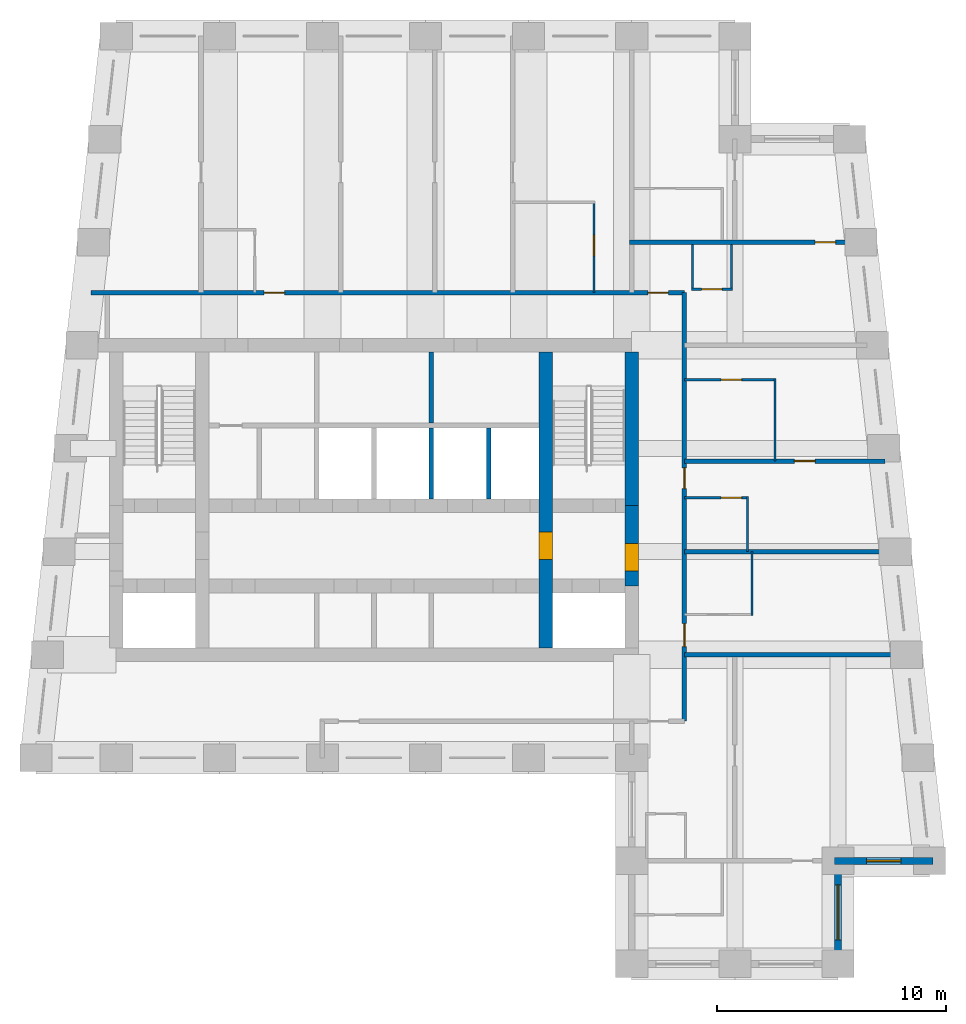
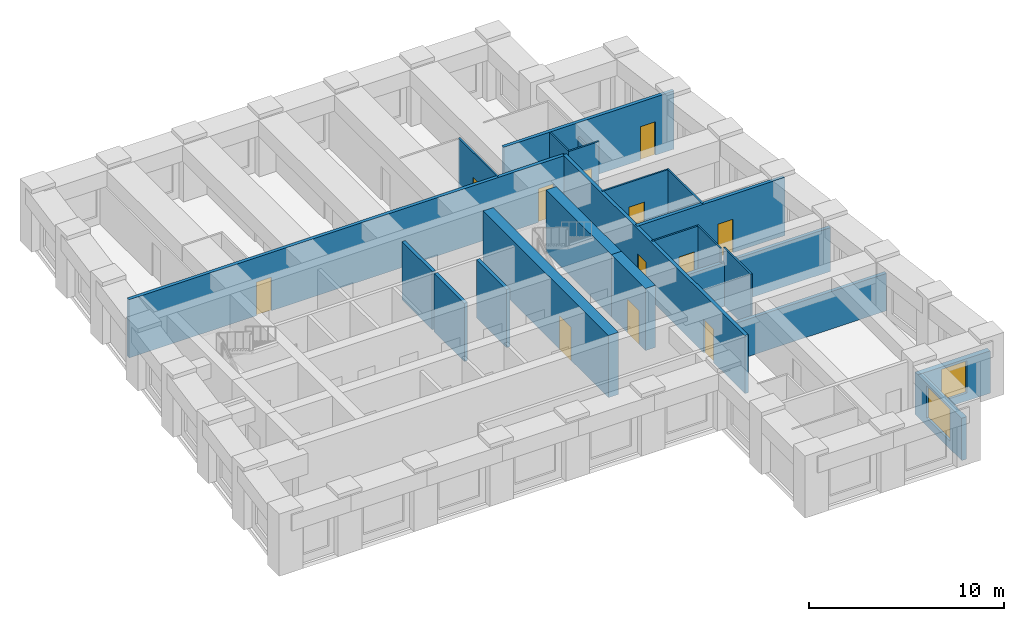
# One storey, part 4 of 7: 23 walls, 12 doors, 2 windows, 14 openings.
"""IFC4 building model written with IfcOpenShell, lengths in metres."""

from ifc_helpers import new_model, si_unit, direction, frame, frame_2d, origin, place, context, subcontext, project, spatial, rectangle, extrude, material, layer, layer_set, type_object, element, fill, save


model = new_model("IFC4")

# Units and contexts
model_context = context("Model", 3, precision=1e-05, world=origin(), true_north=direction((0.0, 1.0)))
body_context = subcontext(model_context, "Body", "Model", "MODEL_VIEW")
ifc_project = project(units=[si_unit("LENGTHUNIT", "METRE"), si_unit("AREAUNIT", "SQUARE_METRE"), si_unit("VOLUMEUNIT", "CUBIC_METRE"), si_unit("PLANEANGLEUNIT", "RADIAN"), si_unit("MASSUNIT", "GRAM", prefix="KILO")], contexts=[model_context])

# Site, building, storey
site_placement = place(None, origin())
site = spatial("IfcSite", under=ifc_project, at=site_placement, CompositionType="ELEMENT")
building_placement = place(site_placement, origin())
building = spatial("IfcBuilding", under=site, at=building_placement, Name="Kilele Tower Hotel", CompositionType="ELEMENT")
storey_placement = place(building_placement, frame((0.0, 0.0, 274.10009765625)))
storey = spatial("IfcBuildingStorey", under=building, at=storey_placement, Name="L70", CompositionType="ELEMENT", Elevation=274.10009765625)

# Walls
ifc_material_1 = material(Name="Moisture-resistant board")
ifc_layer_1 = layer(ifc_material_1, 0.10009765625)
ifc_layer_set_1 = layer_set([ifc_layer_1], Name="Moisture-resistant board")
wall_type_1 = type_object("IfcWallType", Name="Bathroom partition 100", PredefinedType="PLUMBINGWALL", material=ifc_layer_set_1)
wall_1_placement = place(storey_placement, frame((41.25, 15.199951171875, 0.0), z_axis=(0.0, 0.0, 1.0), x_axis=(0.0, 1.0, 0.0)))
element("IfcWall", 1, at=wall_1_placement, inside=storey, type_object=wall_type_1, Name="Bathroom partition 100 L70", PredefinedType="PLUMBINGWALL", context=body_context, shape_type="SweptSolid", body=[
    extrude(rectangle(XDim=2.800048828125, YDim=0.10009765625, at=frame_2d((1.39990234375, 0.0))), origin(), (0.0, 0.0, 1.0), 3.64990234375),
])
wall_2_placement = place(storey_placement, frame((41.050048828125, 18.0, 0.0), z_axis=(0.0, 0.0, 1.0), x_axis=(0.0, 1.0, 0.0)))
element("IfcWall", 2, at=wall_2_placement, inside=storey, type_object=wall_type_1, Name="Bathroom partition 100 L70", PredefinedType="PLUMBINGWALL", context=body_context, shape_type="SweptSolid", body=[
    extrude(rectangle(XDim=2.39990234375, YDim=0.10009765625, at=frame_2d((1.199951171875, 0.0))), origin(), (0.0, 0.0, 1.0), 3.64990234375),
])

# Wall, opening, door
wall_3_placement = place(storey_placement, frame((38.300048828125, 20.35009765625, 0.0), z_axis=(0.0, 0.0, 1.0), x_axis=(1.0, 0.0, 0.0)))
wall_3 = element("IfcWall", 3, at=wall_3_placement, inside=storey, type_object=wall_type_1, Name="Bathroom partition 100 L70", PredefinedType="PLUMBINGWALL", context=body_context, shape_type="SweptSolid", body=[
    extrude(rectangle(XDim=2.800048828125, YDim=0.10009765625, at=frame_2d((1.39990234375, 0.0))), origin(), (0.0, 0.0, 1.0), 3.64990234375),
])
opening_1_placement = place(wall_3_placement, frame((1.60009765625, 0.0, 0.0)))
opening_1 = element("IfcOpeningElement", 4, at=opening_1_placement, cuts=wall_3, Name="Opening D2A", PredefinedType="OPENING", context=body_context, shape_type="SweptSolid", body=[
    extrude(rectangle(XDim=0.89990234375, YDim=2.10009765625, at=frame_2d((0.449951171875, 1.050048828125))), frame((0.0, 0.06005859375, 0.0), z_axis=(0.0, -1.0, 0.0), x_axis=(1.0, 0.0, 0.0)), (0.0, 0.0, 1.0), 0.1201171875),
])
ifc_material_2 = material(Name="Timber door leaf in hardwood frame", Category="wood")
door_type_1 = type_object("IfcDoorType", Name="Bathroom door 900", OperationType="SINGLE_SWING_LEFT", PredefinedType="DOOR", material=ifc_material_2)
door_1_placement = place(opening_1_placement, origin())
door_1 = element("IfcDoor", 5, at=door_1_placement, inside=storey, type_object=door_type_1, Name="Bathroom door 7004B", OperationType="SINGLE_SWING_LEFT", OverallHeight=2.10009765625, OverallWidth=0.89990234375, PredefinedType="DOOR", context=body_context, shape_type="SweptSolid", body=[
    extrude(rectangle(XDim=0.89990234375, YDim=2.10009765625, at=frame_2d((0.449951171875, 1.050048828125))), frame((0.0, 0.02490234375, 0.0), z_axis=(0.0, -1.0, 0.0), x_axis=(1.0, 0.0, 0.0)), (0.0, 0.0, 1.0), 0.050048828125),
])
fill(opening_1, door_1)

# Wall
wall_4_placement = place(storey_placement, frame((42.25, 21.949951171875, 0.0), z_axis=(0.0, 0.0, 1.0), x_axis=(0.0, 1.0, 0.0)))
element("IfcWall", 6, at=wall_4_placement, inside=storey, type_object=wall_type_1, Name="Bathroom partition 100 L70", PredefinedType="PLUMBINGWALL", context=body_context, shape_type="SweptSolid", body=[
    extrude(rectangle(XDim=3.60009765625, YDim=0.10009765625, at=frame_2d((1.800048828125, 0.0))), origin(), (0.0, 0.0, 1.0), 3.64990234375),
])

# Wall, opening, door
wall_5_placement = place(storey_placement, frame((38.300048828125, 25.5, 0.0), z_axis=(0.0, 0.0, 1.0), x_axis=(1.0, 0.0, 0.0)))
wall_5 = element("IfcWall", 7, at=wall_5_placement, inside=storey, type_object=wall_type_1, Name="Bathroom partition 100 L70", PredefinedType="PLUMBINGWALL", context=body_context, shape_type="SweptSolid", body=[
    extrude(rectangle(XDim=4.0, YDim=0.10009765625, at=frame_2d((2.0, 0.0))), origin(), (0.0, 0.0, 1.0), 3.64990234375),
])
opening_2_placement = place(wall_5_placement, frame((1.60009765625, 0.0, 0.0)))
opening_2 = element("IfcOpeningElement", 8, at=opening_2_placement, cuts=wall_5, Name="Opening D2A", PredefinedType="OPENING", context=body_context, shape_type="SweptSolid", body=[
    extrude(rectangle(XDim=0.89990234375, YDim=2.10009765625, at=frame_2d((0.449951171875, 1.050048828125))), frame((0.0, 0.06005859375, 0.0), z_axis=(0.0, -1.0, 0.0), x_axis=(1.0, 0.0, 0.0)), (0.0, 0.0, 1.0), 0.1201171875),
])
door_2_placement = place(opening_2_placement, origin())
door_2 = element("IfcDoor", 9, at=door_2_placement, inside=storey, type_object=door_type_1, Name="Bathroom door 7005B", OperationType="SINGLE_SWING_LEFT", OverallHeight=2.10009765625, OverallWidth=0.89990234375, PredefinedType="DOOR", context=body_context, shape_type="SweptSolid", body=[
    extrude(rectangle(XDim=0.89990234375, YDim=2.10009765625, at=frame_2d((0.449951171875, 1.050048828125))), frame((0.0, 0.02490234375, 0.0), z_axis=(0.0, -1.0, 0.0), x_axis=(1.0, 0.0, 0.0)), (0.0, 0.0, 1.0), 0.050048828125),
])
fill(opening_2, door_2)

wall_6_placement = place(storey_placement, frame((34.35009765625, 29.300048828125, 0.0), z_axis=(0.0, 0.0, 1.0), x_axis=(0.0, 1.0, 0.0)))
wall_6 = element("IfcWall", 10, at=wall_6_placement, inside=storey, type_object=wall_type_1, Name="Bathroom partition 100 L70", PredefinedType="PLUMBINGWALL", context=body_context, shape_type="SweptSolid", body=[
    extrude(rectangle(XDim=4.0, YDim=0.10009765625, at=frame_2d((2.0, 0.0))), origin(), (0.0, 0.0, 1.0), 3.64990234375),
])
opening_3_placement = place(wall_6_placement, frame((2.5, 0.0, 0.0), z_axis=(0.0, 0.0, 1.0), x_axis=(-1.0, 0.0, 0.0)))
opening_3 = element("IfcOpeningElement", 11, at=opening_3_placement, cuts=wall_6, Name="Opening D2A", PredefinedType="OPENING", context=body_context, shape_type="SweptSolid", body=[
    extrude(rectangle(XDim=0.89990234375, YDim=2.10009765625, at=frame_2d((0.449951171875, 1.050048828125))), frame((0.0, 0.06005859375, 0.0), z_axis=(0.0, -1.0, 0.0), x_axis=(1.0, 0.0, 0.0)), (0.0, 0.0, 1.0), 0.1201171875),
])
door_3_placement = place(opening_3_placement, origin())
door_3 = element("IfcDoor", 12, at=door_3_placement, inside=storey, type_object=door_type_1, Name="Bathroom door 7010B", OperationType="SINGLE_SWING_RIGHT", OverallHeight=2.10009765625, OverallWidth=0.89990234375, PredefinedType="DOOR", context=body_context, shape_type="SweptSolid", body=[
    extrude(rectangle(XDim=0.89990234375, YDim=2.10009765625, at=frame_2d((0.449951171875, 1.050048828125))), frame((0.0, 0.02490234375, 0.0), z_axis=(0.0, -1.0, 0.0), x_axis=(1.0, 0.0, 0.0)), (0.0, 0.0, 1.0), 0.050048828125),
])
fill(opening_3, door_3)

# Walls
wall_7_placement = place(storey_placement, frame((40.35009765625, 31.39990234375, 0.0), z_axis=(0.0, 0.0, 1.0), x_axis=(0.0, -1.0, 0.0)))
element("IfcWall", 13, at=wall_7_placement, inside=storey, type_object=wall_type_1, Name="Bathroom partition 100 L70", PredefinedType="PLUMBINGWALL", context=body_context, shape_type="SweptSolid", body=[
    extrude(rectangle(XDim=2.0, YDim=0.10009765625, at=frame_2d((1.0, 0.0))), origin(), (0.0, 0.0, 1.0), 2.75),
])
wall_8_placement = place(storey_placement, frame((38.64990234375, 31.39990234375, 0.0), z_axis=(0.0, 0.0, 1.0), x_axis=(0.0, -1.0, 0.0)))
element("IfcWall", 14, at=wall_8_placement, inside=storey, type_object=wall_type_1, Name="Bathroom partition 100 L70", PredefinedType="PLUMBINGWALL", context=body_context, shape_type="SweptSolid", body=[
    extrude(rectangle(XDim=2.0, YDim=0.10009765625, at=frame_2d((1.0, 0.0))), origin(), (0.0, 0.0, 1.0), 3.64990234375),
])

# Wall, opening, door
wall_9_placement = place(storey_placement, frame((38.60009765625, 29.449951171875, 0.0), z_axis=(0.0, 0.0, 1.0), x_axis=(1.0, 0.0, 0.0)))
wall_9 = element("IfcWall", 15, at=wall_9_placement, inside=storey, type_object=wall_type_1, Name="Bathroom partition 100 L70", PredefinedType="PLUMBINGWALL", context=body_context, shape_type="SweptSolid", body=[
    extrude(rectangle(XDim=1.7998046875, YDim=0.10009765625, at=frame_2d((0.89990234375, 0.0))), origin(), (0.0, 0.0, 1.0), 3.64990234375),
])
opening_4_placement = place(wall_9_placement, frame((1.349853515625, 0.0, 0.0), z_axis=(0.0, 0.0, 1.0), x_axis=(-1.0, 0.0, 0.0)))
opening_4 = element("IfcOpeningElement", 16, at=opening_4_placement, cuts=wall_9, Name="Opening D2A", PredefinedType="OPENING", context=body_context, shape_type="SweptSolid", body=[
    extrude(rectangle(XDim=0.89990234375, YDim=2.10009765625, at=frame_2d((0.449951171875, 1.050048828125))), frame((0.0, 0.06005859375, 0.0), z_axis=(0.0, -1.0, 0.0), x_axis=(1.0, 0.0, 0.0)), (0.0, 0.0, 1.0), 0.1201171875),
])
door_4_placement = place(opening_4_placement, origin())
door_4 = element("IfcDoor", 17, at=door_4_placement, inside=storey, type_object=door_type_1, Name="Bathroom door 7014P", OperationType="SINGLE_SWING_RIGHT", OverallHeight=2.10009765625, OverallWidth=0.89990234375, PredefinedType="DOOR", context=body_context, shape_type="SweptSolid", body=[
    extrude(rectangle(XDim=0.89990234375, YDim=2.10009765625, at=frame_2d((0.449951171875, 1.050048828125))), frame((0.0, 0.02490234375, 0.0), z_axis=(0.0, -1.0, 0.0), x_axis=(1.0, 0.0, 0.0)), (0.0, 0.0, 1.0), 0.050048828125),
])
fill(opening_4, door_4)

ifc_material_3 = material(Name="Concrete C60/75", Category="concrete")
ifc_layer_2 = layer(ifc_material_3, 0.60009765625)
ifc_layer_set_2 = layer_set([ifc_layer_2], Name="Concrete C60/75")
wall_type_2 = type_object("IfcWallType", Name="Core wall 600 C60/75", PredefinedType="SHEAR", material=ifc_layer_set_2)
wall_10_placement = place(storey_placement, frame((32.25, 13.800048828125, 0.0), z_axis=(0.0, 0.0, 1.0), x_axis=(0.0, 1.0, 0.0)))
wall_10 = element("IfcWall", 18, at=wall_10_placement, inside=storey, type_object=wall_type_2, Name="Core wall IE L70", PredefinedType="SHEAR", context=body_context, shape_type="SweptSolid", body=[
    extrude(rectangle(XDim=12.89990234375, YDim=0.60009765625, at=frame_2d((6.449951171875, 0.0))), origin(), (0.0, 0.0, 1.0), 3.89990234375),
])
opening_5_placement = place(wall_10_placement, frame((5.050048828125, 0.0, 0.0), z_axis=(0.0, 0.0, 1.0), x_axis=(-1.0, 0.0, 0.0)))
opening_5 = element("IfcOpeningElement", 19, at=opening_5_placement, cuts=wall_10, Name="Opening D4", PredefinedType="OPENING", context=body_context, shape_type="SweptSolid", body=[
    extrude(rectangle(XDim=1.199951171875, YDim=2.10009765625, at=frame_2d((0.60009765625, 1.050048828125))), frame((0.0, 0.31005859375, 0.0), z_axis=(0.0, -1.0, 0.0), x_axis=(1.0, 0.0, 0.0)), (0.0, 0.0, 1.0), 0.6201171875),
])
ifc_material_4 = material(Name="Timber door leaf in hardwood frame", Category="wood")
door_type_2 = type_object("IfcDoorType", Name="Firefighting lobby door 1200", OperationType="SINGLE_SWING_LEFT", PredefinedType="DOOR", material=ifc_material_4)
door_5_placement = place(opening_5_placement, origin())
door_5 = element("IfcDoor", 20, at=door_5_placement, inside=storey, type_object=door_type_2, Name="Lobby door L70", OperationType="SINGLE_SWING_RIGHT", OverallHeight=2.10009765625, OverallWidth=1.199951171875, PredefinedType="DOOR", context=body_context, shape_type="SweptSolid", body=[
    extrude(rectangle(XDim=1.199951171875, YDim=2.10009765625, at=frame_2d((0.60009765625, 1.050048828125))), frame((0.0, 0.2998046875, 0.0), z_axis=(0.0, -1.0, 0.0), x_axis=(1.0, 0.0, 0.0)), (0.0, 0.0, 1.0), 0.599609375),
])
fill(opening_5, door_5)

wall_11_placement = place(storey_placement, frame((36.0, 16.5, 0.0), z_axis=(0.0, 0.0, 1.0), x_axis=(0.0, 1.0, 0.0)))
wall_11 = element("IfcWall", 21, at=wall_11_placement, inside=storey, type_object=wall_type_2, Name="Core wall E2 L70", PredefinedType="SHEAR", context=body_context, shape_type="SweptSolid", body=[
    extrude(rectangle(XDim=3.5, YDim=0.60009765625, at=frame_2d((1.75, 0.0))), origin(), (0.0, 0.0, 1.0), 3.89990234375),
])
opening_6_placement = place(wall_11_placement, frame((0.64990234375, 0.0, 0.0)))
opening_6 = element("IfcOpeningElement", 22, at=opening_6_placement, cuts=wall_11, Name="Opening D4", PredefinedType="OPENING", context=body_context, shape_type="SweptSolid", body=[
    extrude(rectangle(XDim=1.199951171875, YDim=2.10009765625, at=frame_2d((0.60009765625, 1.050048828125))), frame((0.0, 0.31005859375, 0.0), z_axis=(0.0, -1.0, 0.0), x_axis=(1.0, 0.0, 0.0)), (0.0, 0.0, 1.0), 0.6201171875),
])
door_6_placement = place(opening_6_placement, origin())
door_6 = element("IfcDoor", 23, at=door_6_placement, inside=storey, type_object=door_type_2, Name="Lobby door L70", OperationType="SINGLE_SWING_LEFT", OverallHeight=2.10009765625, OverallWidth=1.199951171875, PredefinedType="DOOR", context=body_context, shape_type="SweptSolid", body=[
    extrude(rectangle(XDim=1.199951171875, YDim=2.10009765625, at=frame_2d((0.60009765625, 1.050048828125))), frame((0.0, 0.2998046875, 0.0), z_axis=(0.0, -1.0, 0.0), x_axis=(1.0, 0.0, 0.0)), (0.0, 0.0, 1.0), 0.599609375),
])
fill(opening_6, door_6)

# Wall
wall_12_placement = place(storey_placement, frame((36.0, 20.0, 0.0), z_axis=(0.0, 0.0, 1.0), x_axis=(0.0, 1.0, 0.0)))
element("IfcWall", 24, at=wall_12_placement, inside=storey, type_object=wall_type_2, Name="Core wall E3 L70", PredefinedType="SHEAR", context=body_context, shape_type="SweptSolid", body=[
    extrude(rectangle(XDim=6.699951171875, YDim=0.60009765625, at=frame_2d((3.35009765625, 0.0))), origin(), (0.0, 0.0, 1.0), 3.89990234375),
])

# Wall, openings, doors
ifc_material_5 = material(Name="Blockwork, plastered both sides", Category="masonry")
ifc_layer_3 = layer(ifc_material_5, 0.199951171875)
ifc_layer_set_3 = layer_set([ifc_layer_3], Name="Blockwork, plastered both sides")
wall_type_3 = type_object("IfcWallType", Name="Corridor wall 200", PredefinedType="PARTITIONING", material=ifc_layer_set_3)
wall_13_placement = place(storey_placement, frame((12.406494140625, 29.300048828125, 0.0), z_axis=(0.0, 0.0, 1.0), x_axis=(1.0, 0.0, 0.0)))
wall_13 = element("IfcWall", 25, at=wall_13_placement, inside=storey, type_object=wall_type_3, Name="Corridor wall 200 L70", PredefinedType="PARTITIONING", context=body_context, shape_type="SweptSolid", body=[
    extrude(rectangle(XDim=25.8935546875, YDim=0.199951171875, at=frame_2d((12.94677734375, 0.0))), origin(), (0.0, 0.0, 1.0), 3.64990234375),
])
opening_7_placement = place(wall_13_placement, frame((7.54345703125, 0.0, 0.0)))
opening_7 = element("IfcOpeningElement", 26, at=opening_7_placement, cuts=wall_13, Name="Opening D1", PredefinedType="OPENING", context=body_context, shape_type="SweptSolid", body=[
    extrude(rectangle(XDim=0.89990234375, YDim=2.10009765625, at=frame_2d((0.449951171875, 1.050048828125))), frame((0.0, 0.10986328125, 0.0), z_axis=(0.0, -1.0, 0.0), x_axis=(1.0, 0.0, 0.0)), (0.0, 0.0, 1.0), 0.219970703125),
])
opening_8_placement = place(wall_13_placement, frame((24.29345703125, 0.0, 0.0)))
opening_8 = element("IfcOpeningElement", 27, at=opening_8_placement, cuts=wall_13, Name="Opening D1", PredefinedType="OPENING", context=body_context, shape_type="SweptSolid", body=[
    extrude(rectangle(XDim=0.89990234375, YDim=2.10009765625, at=frame_2d((0.449951171875, 1.050048828125))), frame((0.0, 0.10986328125, 0.0), z_axis=(0.0, -1.0, 0.0), x_axis=(1.0, 0.0, 0.0)), (0.0, 0.0, 1.0), 0.219970703125),
])
ifc_material_6 = material(Name="Timber door leaf in hardwood frame", Category="wood")
door_type_3 = type_object("IfcDoorType", Name="Guest room entrance door 900", OperationType="SINGLE_SWING_LEFT", PredefinedType="DOOR", material=ifc_material_6)
door_7_placement = place(opening_7_placement, origin())
door_7 = element("IfcDoor", 28, at=door_7_placement, inside=storey, type_object=door_type_3, Name="Room entrance 7007", OperationType="SINGLE_SWING_LEFT", OverallHeight=2.10009765625, OverallWidth=0.89990234375, PredefinedType="DOOR", context=body_context, shape_type="SweptSolid", body=[
    extrude(rectangle(XDim=0.89990234375, YDim=2.10009765625, at=frame_2d((0.449951171875, 1.050048828125))), frame((0.0, 0.02490234375, 0.0), z_axis=(0.0, -1.0, 0.0), x_axis=(1.0, 0.0, 0.0)), (0.0, 0.0, 1.0), 0.050048828125),
])
fill(opening_7, door_7)
door_8_placement = place(opening_8_placement, origin())
door_8 = element("IfcDoor", 29, at=door_8_placement, inside=storey, type_object=door_type_3, Name="Room entrance 7014", OperationType="SINGLE_SWING_LEFT", OverallHeight=2.10009765625, OverallWidth=0.89990234375, PredefinedType="DOOR", context=body_context, shape_type="SweptSolid", body=[
    extrude(rectangle(XDim=0.89990234375, YDim=2.10009765625, at=frame_2d((0.449951171875, 1.050048828125))), frame((0.0, 0.02490234375, 0.0), z_axis=(0.0, -1.0, 0.0), x_axis=(1.0, 0.0, 0.0)), (0.0, 0.0, 1.0), 0.050048828125),
])
fill(opening_8, door_8)

wall_14_placement = place(storey_placement, frame((38.300048828125, 10.60009765625, 0.0), z_axis=(0.0, 0.0, 1.0), x_axis=(0.0, 1.0, 0.0)))
wall_14 = element("IfcWall", 30, at=wall_14_placement, inside=storey, type_object=wall_type_3, Name="Corridor wall 200 L70", PredefinedType="PARTITIONING", context=body_context, shape_type="SweptSolid", body=[
    extrude(rectangle(XDim=18.699951171875, YDim=0.199951171875, at=frame_2d((9.35009765625, 0.0))), origin(), (0.0, 0.0, 1.0), 3.64990234375),
])
opening_9_placement = place(wall_14_placement, frame((4.25, 0.0, 0.0), z_axis=(0.0, 0.0, 1.0), x_axis=(-1.0, 0.0, 0.0)))
opening_9 = element("IfcOpeningElement", 31, at=opening_9_placement, cuts=wall_14, Name="Opening D1A", PredefinedType="OPENING", context=body_context, shape_type="SweptSolid", body=[
    extrude(rectangle(XDim=1.0, YDim=2.10009765625, at=frame_2d((0.5, 1.050048828125))), frame((0.0, 0.10986328125, 0.0), z_axis=(0.0, -1.0, 0.0), x_axis=(1.0, 0.0, 0.0)), (0.0, 0.0, 1.0), 0.219970703125),
])
opening_10_placement = place(wall_14_placement, frame((11.0498046875, 0.0, 0.0), z_axis=(0.0, 0.0, 1.0), x_axis=(-1.0, 0.0, 0.0)))
opening_10 = element("IfcOpeningElement", 32, at=opening_10_placement, cuts=wall_14, Name="Opening D1", PredefinedType="OPENING", context=body_context, shape_type="SweptSolid", body=[
    extrude(rectangle(XDim=0.89990234375, YDim=2.10009765625, at=frame_2d((0.449951171875, 1.050048828125))), frame((0.0, 0.10986328125, 0.0), z_axis=(0.0, -1.0, 0.0), x_axis=(1.0, 0.0, 0.0)), (0.0, 0.0, 1.0), 0.219970703125),
])
ifc_material_7 = material(Name="Timber door leaf in hardwood frame", Category="wood")
door_type_4 = type_object("IfcDoorType", Name="Guest room entrance door 1000", OperationType="SINGLE_SWING_LEFT", PredefinedType="DOOR", material=ifc_material_7)
door_9_placement = place(opening_9_placement, origin())
door_9 = element("IfcDoor", 33, at=door_9_placement, inside=storey, type_object=door_type_4, Name="Room entrance 7003", OperationType="SINGLE_SWING_RIGHT", OverallHeight=2.10009765625, OverallWidth=1.0, PredefinedType="DOOR", context=body_context, shape_type="SweptSolid", body=[
    extrude(rectangle(XDim=1.0, YDim=2.10009765625, at=frame_2d((0.5, 1.050048828125))), frame((0.0, 0.02490234375, 0.0), z_axis=(0.0, -1.0, 0.0), x_axis=(1.0, 0.0, 0.0)), (0.0, 0.0, 1.0), 0.050048828125),
])
fill(opening_9, door_9)
door_10_placement = place(opening_10_placement, origin())
door_10 = element("IfcDoor", 34, at=door_10_placement, inside=storey, type_object=door_type_3, Name="Room entrance 7004", OperationType="SINGLE_SWING_LEFT", OverallHeight=2.10009765625, OverallWidth=0.89990234375, PredefinedType="DOOR", context=body_context, shape_type="SweptSolid", body=[
    extrude(rectangle(XDim=0.89990234375, YDim=2.10009765625, at=frame_2d((0.449951171875, 1.050048828125))), frame((0.0, 0.02490234375, 0.0), z_axis=(0.0, -1.0, 0.0), x_axis=(1.0, 0.0, 0.0)), (0.0, 0.0, 1.0), 0.050048828125),
])
fill(opening_10, door_10)

# Wall
ifc_material_8 = material(Name="Blockwork, plastered both sides", Category="masonry")
ifc_layer_4 = layer(ifc_material_8, 0.199951171875)
ifc_layer_set_4 = layer_set([ifc_layer_4], Name="Blockwork, plastered both sides")
wall_type_4 = type_object("IfcWallType", Name="Party wall 200", PredefinedType="PARTITIONING", material=ifc_layer_set_4)
wall_15_placement = place(storey_placement, frame((38.300048828125, 18.0, 0.0), z_axis=(0.0, 0.0, 1.0), x_axis=(1.0, 0.0, 0.0)))
element("IfcWall", 35, at=wall_15_placement, inside=storey, type_object=wall_type_4, Name="Party wall 200 L70", PredefinedType="PARTITIONING", context=body_context, shape_type="SweptSolid", body=[
    extrude(rectangle(XDim=9.198974609375, YDim=0.199951171875, at=frame_2d((4.599609375, 0.0))), origin(), (0.0, 0.0, 1.0), 2.75),
])

# Wall, opening, door
wall_16_placement = place(storey_placement, frame((38.300048828125, 21.949951171875, 0.0), z_axis=(0.0, 0.0, 1.0), x_axis=(1.0, 0.0, 0.0)))
wall_16 = element("IfcWall", 36, at=wall_16_placement, inside=storey, type_object=wall_type_4, Name="Party wall 200 L70", PredefinedType="PARTITIONING", context=body_context, shape_type="SweptSolid", body=[
    extrude(rectangle(XDim=8.76025390625, YDim=0.199951171875, at=frame_2d((4.380126953125, 0.0))), origin(), (0.0, 0.0, 1.0), 3.64990234375),
])
opening_11_placement = place(wall_16_placement, frame((4.800048828125, 0.0, 0.0)))
opening_11 = element("IfcOpeningElement", 37, at=opening_11_placement, cuts=wall_16, Name="Opening D3", PredefinedType="OPENING", context=body_context, shape_type="SweptSolid", body=[
    extrude(rectangle(XDim=0.89990234375, YDim=2.10009765625, at=frame_2d((0.449951171875, 1.050048828125))), frame((0.0, 0.10986328125, 0.0), z_axis=(0.0, -1.0, 0.0), x_axis=(1.0, 0.0, 0.0)), (0.0, 0.0, 1.0), 0.219970703125),
])
ifc_material_9 = material(Name="Timber door leaf in hardwood frame", Category="wood")
door_type_5 = type_object("IfcDoorType", Name="Suite internal door 900", OperationType="SINGLE_SWING_LEFT", PredefinedType="DOOR", material=ifc_material_9)
door_11_placement = place(opening_11_placement, origin())
door_11 = element("IfcDoor", 38, at=door_11_placement, inside=storey, type_object=door_type_5, Name="Suite door 7005", OperationType="SINGLE_SWING_LEFT", OverallHeight=2.10009765625, OverallWidth=0.89990234375, PredefinedType="DOOR", context=body_context, shape_type="SweptSolid", body=[
    extrude(rectangle(XDim=0.89990234375, YDim=2.10009765625, at=frame_2d((0.449951171875, 1.050048828125))), frame((0.0, 0.02490234375, 0.0), z_axis=(0.0, -1.0, 0.0), x_axis=(1.0, 0.0, 0.0)), (0.0, 0.0, 1.0), 0.050048828125),
])
fill(opening_11, door_11)

# Wall
wall_17_placement = place(storey_placement, frame((38.300048828125, 13.5, 0.0), z_axis=(0.0, 0.0, 1.0), x_axis=(1.0, 0.0, 0.0)))
element("IfcWall", 39, at=wall_17_placement, inside=storey, type_object=wall_type_4, Name="Party wall 200 L70", PredefinedType="PARTITIONING", context=body_context, shape_type="SweptSolid", body=[
    extrude(rectangle(XDim=9.921142578125, YDim=0.199951171875, at=frame_2d((4.96044921875, 0.0))), origin(), (0.0, 0.0, 1.0), 2.349853515625),
])

# Wall, opening, door
wall_18_placement = place(storey_placement, frame((35.89990234375, 31.5, 0.0), z_axis=(0.0, 0.0, 1.0), x_axis=(1.0, 0.0, 0.0)))
wall_18 = element("IfcWall", 40, at=wall_18_placement, inside=storey, type_object=wall_type_4, Name="Party wall 200 L70", PredefinedType="PARTITIONING", context=body_context, shape_type="SweptSolid", body=[
    extrude(rectangle(XDim=10.09912109375, YDim=0.199951171875, at=frame_2d((5.049560546875, 0.0))), origin(), (0.0, 0.0, 1.0), 3.64990234375),
])
opening_12_placement = place(wall_18_placement, frame((8.09912109375, 0.0, 0.0)))
opening_12 = element("IfcOpeningElement", 41, at=opening_12_placement, cuts=wall_18, Name="Opening D3", PredefinedType="OPENING", context=body_context, shape_type="SweptSolid", body=[
    extrude(rectangle(XDim=0.89990234375, YDim=2.10009765625, at=frame_2d((0.449951171875, 1.050048828125))), frame((0.0, 0.10986328125, 0.0), z_axis=(0.0, -1.0, 0.0), x_axis=(1.0, 0.0, 0.0)), (0.0, 0.0, 1.0), 0.219970703125),
])
door_12_placement = place(opening_12_placement, origin())
door_12 = element("IfcDoor", 42, at=door_12_placement, inside=storey, type_object=door_type_5, Name="Suite door 7015", OperationType="SINGLE_SWING_RIGHT", OverallHeight=2.10009765625, OverallWidth=0.89990234375, PredefinedType="DOOR", context=body_context, shape_type="SweptSolid", body=[
    extrude(rectangle(XDim=0.89990234375, YDim=2.10009765625, at=frame_2d((0.449951171875, 1.050048828125))), frame((0.0, 0.02490234375, 0.0), z_axis=(0.0, -1.0, 0.0), x_axis=(1.0, 0.0, 0.0)), (0.0, 0.0, 1.0), 0.050048828125),
])
fill(opening_12, door_12)

# Wall, opening, window
ifc_material_10 = material(Name="Concrete C40/50 precast", Category="concrete")
ifc_layer_5 = layer(ifc_material_10, 0.260009765625, Name="Precast backing", Category="LoadBearing")
ifc_material_11 = material(Name="Reconstituted stone finish", Category="masonry")
ifc_layer_6 = layer(ifc_material_11, 0.0400390625, Name="Face mix", Category="Finish")
ifc_layer_set_5 = layer_set([ifc_layer_5, ifc_layer_6], Name="Precast concrete C40/50, reconstituted stone finish")
wall_type_5 = type_object("IfcWallType", Name="Precast stone facade wall 300", PredefinedType="STANDARD", material=ifc_layer_set_5)
wall_19_placement = place(storey_placement, frame((45.0, -0.14990234375, 0.0), z_axis=(0.0, 0.0, 1.0), x_axis=(0.0, 1.0, 0.0)))
wall_19 = element("IfcWall", 43, at=wall_19_placement, inside=storey, type_object=wall_type_5, Name="Facade wall L70 edge 4", PredefinedType="STANDARD", context=body_context, shape_type="SweptSolid", body=[
    extrude(rectangle(XDim=4.7998046875, YDim=0.300048828125, at=frame_2d((2.39990234375, 0.0))), origin(), (0.0, 0.0, 1.0), 2.64990234375),
])
opening_13_placement = place(wall_19_placement, frame((1.199951171875, 0.0, 0.5)))
opening_13 = element("IfcOpeningElement", 44, at=opening_13_placement, cuts=wall_19, Name="Opening W4", PredefinedType="OPENING", context=body_context, shape_type="SweptSolid", body=[
    extrude(rectangle(XDim=2.39990234375, YDim=2.0, at=frame_2d((1.199951171875, 1.0))), frame((0.0, 0.159912109375, 0.0), z_axis=(0.0, -1.0, 0.0), x_axis=(1.0, 0.0, 0.0)), (0.0, 0.0, 1.0), 0.320068359375),
])
ifc_material_12 = material(Name="Aluminium frame, clear double glazing", Category="aluminium")
window_type_1 = type_object("IfcWindowType", Name="Window W4 2400 x 2000", PartitioningType="SINGLE_PANEL", PredefinedType="WINDOW", material=ifc_material_12)
window_1_placement = place(opening_13_placement, origin())
window_1 = element("IfcWindow", 45, at=window_1_placement, inside=storey, type_object=window_type_1, Name="Window L70", OverallHeight=2.0, OverallWidth=2.39990234375, PartitioningType="SINGLE_PANEL", PredefinedType="WINDOW", context=body_context, shape_type="SweptSolid", body=[
    extrude(rectangle(XDim=2.39990234375, YDim=2.0, at=frame_2d((1.199951171875, 1.0))), frame((0.0, 0.030029296875, 0.0), z_axis=(0.0, -1.0, 0.0), x_axis=(1.0, 0.0, 0.0)), (0.0, 0.0, 1.0), 0.06005859375),
])
fill(opening_13, window_1)

wall_20_placement = place(storey_placement, frame((44.85009765625, 4.5, 0.0), z_axis=(0.0, 0.0, 1.0), x_axis=(1.0, 0.0, 0.0)))
wall_20 = element("IfcWall", 46, at=wall_20_placement, inside=storey, type_object=wall_type_5, Name="Facade wall L70 edge 5", PredefinedType="STANDARD", context=body_context, shape_type="SweptSolid", body=[
    extrude(rectangle(XDim=4.2998046875, YDim=0.300048828125, at=frame_2d((2.14990234375, 0.0))), origin(), (0.0, 0.0, 1.0), 2.64990234375),
])
opening_14_placement = place(wall_20_placement, frame((1.39990234375, 0.0, 0.5)))
opening_14 = element("IfcOpeningElement", 47, at=opening_14_placement, cuts=wall_20, Name="Opening W4", PredefinedType="OPENING", context=body_context, shape_type="SweptSolid", body=[
    extrude(rectangle(XDim=1.5, YDim=2.0, at=frame_2d((0.75, 1.0))), frame((0.0, 0.159912109375, 0.0), z_axis=(0.0, -1.0, 0.0), x_axis=(1.0, 0.0, 0.0)), (0.0, 0.0, 1.0), 0.320068359375),
])
ifc_material_13 = material(Name="Aluminium frame, clear double glazing", Category="aluminium")
window_type_2 = type_object("IfcWindowType", Name="Window W4 1500 x 2000", PartitioningType="SINGLE_PANEL", PredefinedType="WINDOW", material=ifc_material_13)
window_2_placement = place(opening_14_placement, origin())
window_2 = element("IfcWindow", 48, at=window_2_placement, inside=storey, type_object=window_type_2, Name="Window L70", OverallHeight=2.0, OverallWidth=1.5, PartitioningType="SINGLE_PANEL", PredefinedType="WINDOW", context=body_context, shape_type="SweptSolid", body=[
    extrude(rectangle(XDim=1.5, YDim=2.0, at=frame_2d((0.75, 1.0))), frame((0.0, 0.030029296875, 0.0), z_axis=(0.0, -1.0, 0.0), x_axis=(1.0, 0.0, 0.0)), (0.0, 0.0, 1.0), 0.06005859375),
])
fill(opening_14, window_2)

# Walls
ifc_material_14 = material(Name="Blockwork, fire-rated", Category="masonry")
ifc_layer_7 = layer(ifc_material_14, 0.199951171875)
ifc_layer_set_6 = layer_set([ifc_layer_7], Name="Blockwork, fire-rated")
wall_type_6 = type_object("IfcWallType", Name="Shaft wall 200", PredefinedType="PARTITIONING", material=ifc_layer_set_6)
for number, where, z_axis, x_axis, name in (
    (49, (27.25, 20.300048828125, 0.0), (0.0, 0.0, 1.0), (0.0, 1.0, 0.0), "Shaft wall 200 L70"),
    (50, (29.75, 20.300048828125, 0.0), (0.0, 0.0, 1.0), (0.0, 1.0, 0.0), "Shaft wall 200 L70"),
    (51, (27.25, 23.60009765625, 0.0), (0.0, 0.0, 1.0), (0.0, 1.0, 0.0), "Shaft wall 200 L70"),
):
    element("IfcWall", number, at=place(storey_placement, frame(where, z_axis=z_axis, x_axis=x_axis)), inside=storey, type_object=wall_type_6, Name=name, PredefinedType="PARTITIONING", context=body_context, shape_type="SweptSolid", body=[
        extrude(rectangle(XDim=3.099853515625, YDim=0.199951171875, at=frame_2d((1.5498046875, 0.0))), origin(), (0.0, 0.0, 1.0), 3.64990234375),
    ])

save(model, "model.ifc")
